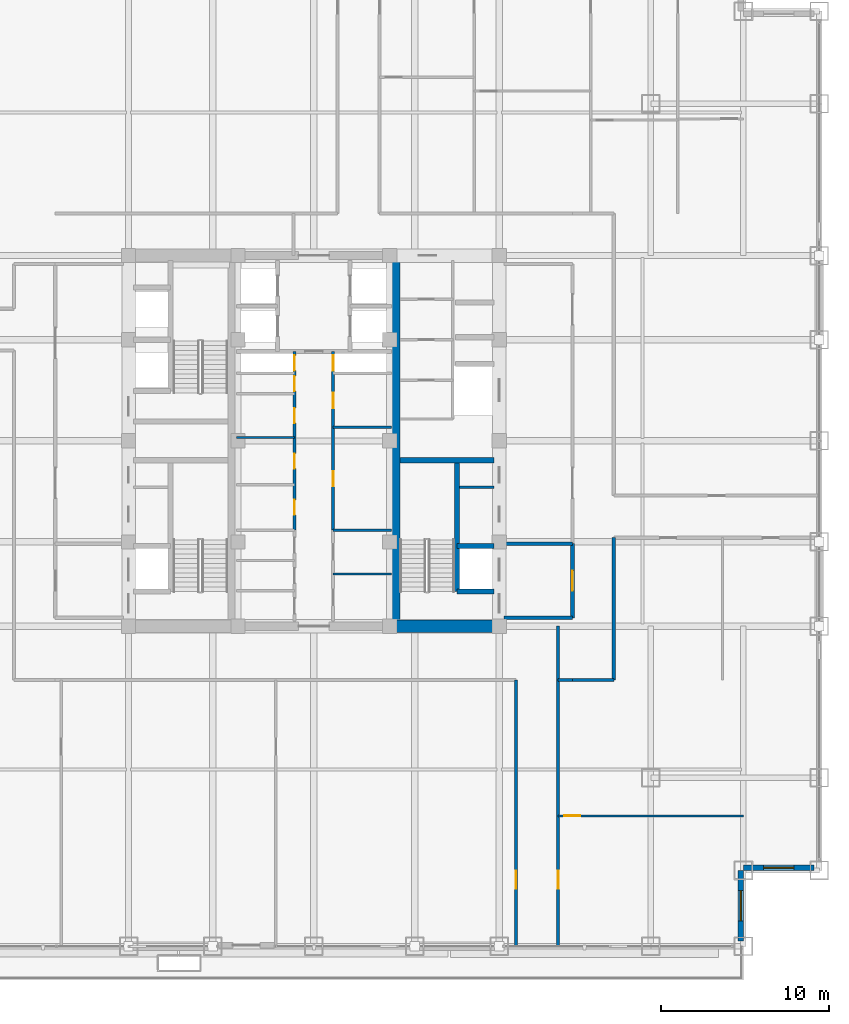
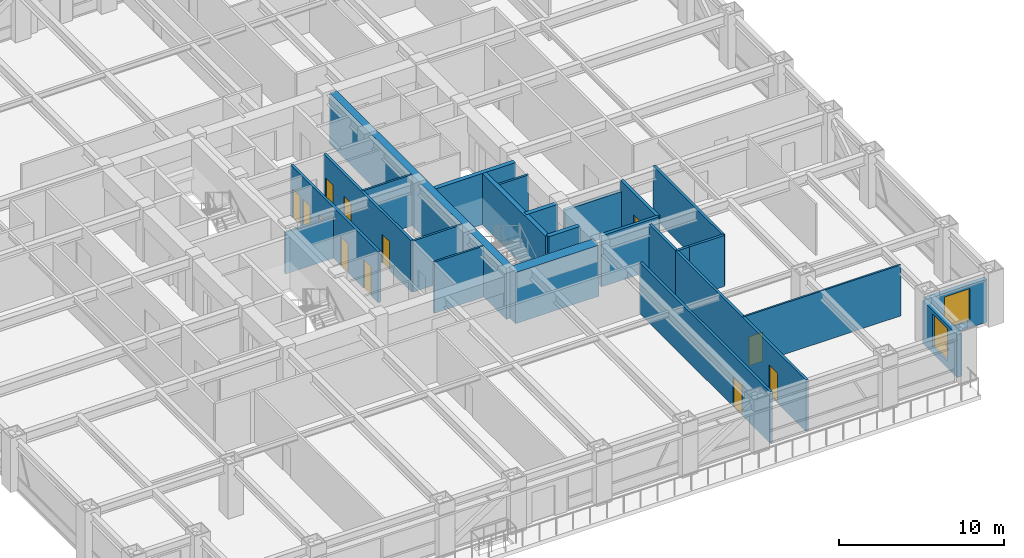
# One storey, part 27 of 35: 25 walls, 12 doors, 2 windows, 14 openings.
"""IFC4 building model written with IfcOpenShell, lengths in metres."""

from ifc_helpers import new_model, si_unit, direction, frame, frame_2d, origin, place, context, subcontext, project, spatial, rectangle, extrude, source, transform, mapped, material, layer, layer_set, type_object, element, fill, save


model = new_model("IFC4")

# Units and contexts
model_context = context("Model", 3, precision=1e-05, world=origin(), true_north=direction((0.0, 1.0)))
body_context = subcontext(model_context, "Body", "Model", "MODEL_VIEW")
ifc_project = project(units=[si_unit("LENGTHUNIT", "METRE"), si_unit("AREAUNIT", "SQUARE_METRE"), si_unit("VOLUMEUNIT", "CUBIC_METRE"), si_unit("PLANEANGLEUNIT", "RADIAN"), si_unit("MASSUNIT", "GRAM", prefix="KILO")], contexts=[model_context])

# Site, building, storey
site_placement = place(None, origin())
site = spatial("IfcSite", under=ifc_project, at=site_placement, CompositionType="ELEMENT")
building_placement = place(site_placement, origin())
building = spatial("IfcBuilding", under=site, at=building_placement, Name="Khorayat Bourse Tower", CompositionType="ELEMENT")
storey_placement = place(building_placement, frame((0.0, 0.0, 155.10009765625)))
storey = spatial("IfcBuildingStorey", under=building, at=storey_placement, Name="L35", CompositionType="ELEMENT", Elevation=155.10009765625)

# Walls
ifc_material_1 = material(Name="Concrete C52/65", Category="concrete")
ifc_layer_1 = layer(ifc_material_1, 0.5)
ifc_layer_set_1 = layer_set([ifc_layer_1], Name="Concrete C52/65")
wall_type_1 = type_object("IfcWallType", Name="WAL-CORE-500", PredefinedType="SHEAR", material=ifc_layer_set_1)
shared_shape_1 = source(origin(), body_context, "Body", "SweptSolid", [
    extrude(rectangle(XDim=21.39990234375, YDim=0.5, at=frame_2d((10.699951171875, 0.0))), origin(), (0.0, 0.0, 1.0), 3.77978515625),
])
wall_1_placement = place(storey_placement, frame((4.85009765625, -10.699951171875, 0.0), z_axis=(0.0, 0.0, 1.0), x_axis=(0.0, 1.0, 0.0)))
element("IfcWall", 1, at=wall_1_placement, inside=storey, type_object=wall_type_1, Name="L35 Core Shear Wall PIER-E", PredefinedType="SHEAR", context=body_context, shape_type="MappedRepresentation", body=[
    mapped(shared_shape_1, transform((0.0, 0.0, 0.0), scale=1.0)),
])
ifc_material_2 = material(Name="Concrete C72/90", Category="concrete")
ifc_layer_2 = layer(ifc_material_2, 0.75)
ifc_layer_set_2 = layer_set([ifc_layer_2], Name="Concrete C72/90")
wall_type_2 = type_object("IfcWallType", Name="WAL-CORE-750", PredefinedType="SHEAR", material=ifc_layer_set_2)
shared_shape_2 = source(origin(), body_context, "Body", "SweptSolid", [
    extrude(rectangle(XDim=5.849853515625, YDim=0.75, at=frame_2d((2.9248046875, 0.0))), origin(), (0.0, 0.0, 1.0), 3.77978515625),
])
wall_2_placement = place(storey_placement, frame((4.85009765625, -11.0, 0.0), z_axis=(0.0, 0.0, 1.0), x_axis=(1.0, 0.0, 0.0)))
element("IfcWall", 2, at=wall_2_placement, inside=storey, type_object=wall_type_2, Name="L35 Core Shear Wall PIER-ES", PredefinedType="SHEAR", context=body_context, shape_type="MappedRepresentation", body=[
    mapped(shared_shape_2, transform((0.0, 0.0, 0.0), scale=1.0)),
])
ifc_material_3 = material(Name="Concrete C50/60", Category="concrete")
ifc_layer_3 = layer(ifc_material_3, 0.300048828125)
ifc_layer_set_3 = layer_set([ifc_layer_3], Name="Concrete C50/60")
wall_type_3 = type_object("IfcWallType", Name="WAL-SHAFT-300", PredefinedType="SHEAR", material=ifc_layer_set_3)
shared_shape_3 = source(origin(), body_context, "Body", "SweptSolid", [
    extrude(rectangle(XDim=5.599853515625, YDim=0.300048828125, at=frame_2d((2.7998046875, 0.0))), origin(), (0.0, 0.0, 1.0), 3.77978515625),
])
wall_3_placement = place(storey_placement, frame((5.10009765625, -1.14990234375, 0.0), z_axis=(0.0, 0.0, 1.0), x_axis=(1.0, 0.0, 0.0)))
element("IfcWall", 3, at=wall_3_placement, inside=storey, type_object=wall_type_3, Name="L35 Core Shear Wall ST3-DIV", PredefinedType="SHEAR", context=body_context, shape_type="MappedRepresentation", body=[
    mapped(shared_shape_3, transform((0.0, 0.0, 0.0), scale=1.0)),
])

# Wall, opening, window
ifc_material_4 = material(Name="Precast concrete C45/55", Category="concrete")
ifc_layer_4 = layer(ifc_material_4, 0.320068359375)
ifc_layer_set_4 = layer_set([ifc_layer_4], Name="Precast concrete C45/55")
wall_type_4 = type_object("IfcWallType", Name="WAL-EXT-STONE-320", PredefinedType="STANDARD", material=ifc_layer_set_4)
shared_shape_4 = source(origin(), body_context, "Body", "SweptSolid", [
    extrude(rectangle(XDim=4.179931640625, YDim=0.320068359375, at=frame_2d((2.08984375, 0.0))), origin(), (0.0, 0.0, 1.0), 3.163818359375),
])
wall_4_placement = place(storey_placement, frame((25.340087890625, -29.679931640625, 0.0), z_axis=(0.0, 0.0, 1.0), x_axis=(0.0, 1.0, 0.0)))
wall_4 = element("IfcWall", 4, at=wall_4_placement, inside=storey, type_object=wall_type_4, Name="L35 Re-Entrant Notch Limestone Wall SE-V", PredefinedType="STANDARD", context=body_context, shape_type="MappedRepresentation", body=[
    mapped(shared_shape_4, transform((0.0, 0.0, 0.0), scale=1.0)),
])
shared_shape_5 = source(origin(), body_context, "Body", "SweptSolid", [
    extrude(rectangle(XDim=1.800048828125, YDim=2.39990234375, at=frame_2d((0.89990234375, 1.199951171875))), frame((0.0, 0.169921875, 0.0), z_axis=(0.0, -1.0, 0.0), x_axis=(1.0, 0.0, 0.0)), (0.0, 0.0, 1.0), 0.340087890625),
])
opening_1_placement = place(wall_4_placement, frame((1.18994140625, 0.0, 0.5)))
opening_1 = element("IfcOpeningElement", 5, at=opening_1_placement, cuts=wall_4, Name="Opening WN-04", PredefinedType="OPENING", context=body_context, shape_type="MappedRepresentation", body=[
    mapped(shared_shape_5, transform((0.0, 0.0, 0.0), scale=1.0)),
])
ifc_material_5 = material(Name="Low-E acoustic laminated double glazing", Category="glass")
window_type = type_object("IfcWindowType", Name="WIN-NOTCH-1800x2400", PartitioningType="SINGLE_PANEL", PredefinedType="WINDOW", material=ifc_material_5)
shared_shape_6 = source(origin(), body_context, "Body", "SweptSolid", [
    extrude(rectangle(XDim=1.800048828125, YDim=2.39990234375, at=frame_2d((0.89990234375, 1.199951171875))), frame((0.0, 0.030029296875, 0.0), z_axis=(0.0, -1.0, 0.0), x_axis=(1.0, 0.0, 0.0)), (0.0, 0.0, 1.0), 0.06005859375),
])
window_1_placement = place(opening_1_placement, origin())
window_1 = element("IfcWindow", 6, at=window_1_placement, inside=storey, type_object=window_type, Name="L35 Facade Window 1", OverallHeight=2.39990234375, OverallWidth=1.800048828125, PartitioningType="SINGLE_PANEL", PredefinedType="WINDOW", context=body_context, shape_type="MappedRepresentation", body=[
    mapped(shared_shape_6, transform((0.0, 0.0, 0.0), scale=1.0)),
])
fill(opening_1, window_1)

wall_5_placement = place(storey_placement, frame((25.5, -25.340087890625, 0.0), z_axis=(0.0, 0.0, 1.0), x_axis=(1.0, 0.0, 0.0)))
wall_5 = element("IfcWall", 7, at=wall_5_placement, inside=storey, type_object=wall_type_4, Name="L35 Re-Entrant Notch Limestone Wall SE-H", PredefinedType="STANDARD", context=body_context, shape_type="MappedRepresentation", body=[
    mapped(shared_shape_4, transform((0.0, 0.0, 0.0), scale=1.0)),
])
opening_2_placement = place(wall_5_placement, frame((1.18994140625, 0.0, 0.5)))
opening_2 = element("IfcOpeningElement", 8, at=opening_2_placement, cuts=wall_5, Name="Opening WN-04", PredefinedType="OPENING", context=body_context, shape_type="MappedRepresentation", body=[
    mapped(shared_shape_5, transform((0.0, 0.0, 0.0), scale=1.0)),
])
window_2_placement = place(opening_2_placement, origin())
window_2 = element("IfcWindow", 9, at=window_2_placement, inside=storey, type_object=window_type, Name="L35 Facade Window 1", OverallHeight=2.39990234375, OverallWidth=1.800048828125, PartitioningType="SINGLE_PANEL", PredefinedType="WINDOW", context=body_context, shape_type="MappedRepresentation", body=[
    mapped(shared_shape_6, transform((0.0, 0.0, 0.0), scale=1.0)),
])
fill(opening_2, window_2)

# Walls
shared_shape_7 = source(origin(), body_context, "Body", "SweptSolid", [
    extrude(rectangle(XDim=7.800048828125, YDim=0.300048828125, at=frame_2d((3.89990234375, 0.0))), origin(), (0.0, 0.0, 1.0), 3.77978515625),
])
wall_6_placement = place(storey_placement, frame((8.5, -8.949951171875, 0.0), z_axis=(0.0, 0.0, 1.0), x_axis=(0.0, 1.0, 0.0)))
element("IfcWall", 10, at=wall_6_placement, inside=storey, type_object=wall_type_3, Name="L35 Partition WAL-L35-EPIER-SP", PredefinedType="SHEAR", context=body_context, shape_type="MappedRepresentation", body=[
    mapped(shared_shape_7, transform((0.0, 0.0, 0.0), scale=1.0)),
])
shared_shape_8 = source(origin(), body_context, "Body", "SweptSolid", [
    extrude(rectangle(XDim=2.199951171875, YDim=0.300048828125, at=frame_2d((1.10009765625, 0.0))), origin(), (0.0, 0.0, 1.0), 3.77978515625),
])
for number, where, z_axis, x_axis, name in (
    (11, (8.5, -8.949951171875, 0.0), (0.0, 0.0, 1.0), (1.0, 0.0, 0.0), "L35 Partition WAL-L35-EPIER-FF2S"),
    (12, (8.5, -6.25, 0.0), (0.0, 0.0, 1.0), (1.0, 0.0, 0.0), "L35 Partition WAL-L35-EPIER-FF2N"),
):
    element("IfcWall", number, at=place(storey_placement, frame(where, z_axis=z_axis, x_axis=x_axis)), inside=storey, type_object=wall_type_3, Name=name, PredefinedType="SHEAR", context=body_context, shape_type="MappedRepresentation", body=[
        mapped(shared_shape_8, transform((0.0, 0.0, 0.0), scale=1.0)),
    ])
ifc_material_6 = material(Name="Gypsum plasterboard twin-frame partition")
ifc_layer_5 = layer(ifc_material_6, 0.14990234375)
ifc_layer_set_5 = layer_set([ifc_layer_5], Name="Gypsum plasterboard twin-frame partition")
wall_type_5 = type_object("IfcWallType", Name="WAL-PART-SUITE-150", PredefinedType="PARTITIONING", material=ifc_layer_set_5)
shared_shape_9 = source(origin(), body_context, "Body", "SweptSolid", [
    extrude(rectangle(XDim=2.050048828125, YDim=0.14990234375, at=frame_2d((1.02490234375, 0.0))), origin(), (0.0, 0.0, 1.0), 3.77978515625),
])
wall_7_placement = place(storey_placement, frame((8.64990234375, -2.75, 0.0), z_axis=(0.0, 0.0, 1.0), x_axis=(1.0, 0.0, 0.0)))
element("IfcWall", 13, at=wall_7_placement, inside=storey, type_object=wall_type_5, Name="L35 Partition WAL-L35-ESRV-D1", PredefinedType="PARTITIONING", context=body_context, shape_type="MappedRepresentation", body=[
    mapped(shared_shape_9, transform((0.0, 0.0, 0.0), scale=1.0)),
])
ifc_material_7 = material(Name="Aerated concrete blockwork", Category="masonry")
ifc_layer_6 = layer(ifc_material_7, 0.219970703125)
ifc_layer_set_6 = layer_set([ifc_layer_6], Name="Aerated concrete blockwork")
wall_type_6 = type_object("IfcWallType", Name="WAL-PART-FF-220", PredefinedType="PARTITIONING", material=ifc_layer_set_6)
shared_shape_10 = source(origin(), body_context, "Body", "SweptSolid", [
    extrude(rectangle(XDim=4.050048828125, YDim=0.219970703125, at=frame_2d((2.02490234375, 0.0))), origin(), (0.0, 0.0, 1.0), 3.77978515625),
])
wall_8_placement = place(storey_placement, frame((11.300048828125, -10.5, 0.0), z_axis=(0.0, 0.0, 1.0), x_axis=(1.0, 0.0, 0.0)))
element("IfcWall", 14, at=wall_8_placement, inside=storey, type_object=wall_type_6, Name="L35 Partition WAL-L35-FFLE-S", PredefinedType="PARTITIONING", context=body_context, shape_type="MappedRepresentation", body=[
    mapped(shared_shape_10, transform((0.0, 0.0, 0.0), scale=1.0)),
])
shared_shape_11 = source(origin(), body_context, "Body", "SweptSolid", [
    extrude(rectangle(XDim=4.050048828125, YDim=0.219970703125, at=frame_2d((2.02490234375, 0.0))), origin(), (0.0, 0.0, 1.0), 3.0068359375),
])
wall_9_placement = place(storey_placement, frame((11.300048828125, -6.10009765625, 0.0), z_axis=(0.0, 0.0, 1.0), x_axis=(1.0, 0.0, 0.0)))
element("IfcWall", 15, at=wall_9_placement, inside=storey, type_object=wall_type_6, Name="L35 Partition WAL-L35-FFLE-N", PredefinedType="PARTITIONING", context=body_context, shape_type="MappedRepresentation", body=[
    mapped(shared_shape_11, transform((0.0, 0.0, 0.0), scale=1.0)),
])

# Wall, opening, door
shared_shape_12 = source(origin(), body_context, "Body", "SweptSolid", [
    extrude(rectangle(XDim=4.39990234375, YDim=0.219970703125, at=frame_2d((2.199951171875, 0.0))), origin(), (0.0, 0.0, 1.0), 3.77978515625),
])
wall_10_placement = place(storey_placement, frame((15.35009765625, -10.5, 0.0), z_axis=(0.0, 0.0, 1.0), x_axis=(0.0, 1.0, 0.0)))
wall_10 = element("IfcWall", 16, at=wall_10_placement, inside=storey, type_object=wall_type_6, Name="L35 Partition WAL-L35-FFLE-E", PredefinedType="PARTITIONING", context=body_context, shape_type="MappedRepresentation", body=[
    mapped(shared_shape_12, transform((0.0, 0.0, 0.0), scale=1.0)),
])
shared_shape_13 = source(origin(), body_context, "Body", "SweptSolid", [
    extrude(rectangle(XDim=1.199951171875, YDim=2.199951171875, at=frame_2d((0.60009765625, 1.10009765625))), frame((0.0, 0.119873046875, 0.0), z_axis=(0.0, -1.0, 0.0), x_axis=(1.0, 0.0, 0.0)), (0.0, 0.0, 1.0), 0.239990234375),
])
opening_3_placement = place(wall_10_placement, frame((1.60009765625, 0.0, 0.0)))
opening_3 = element("IfcOpeningElement", 17, at=opening_3_placement, cuts=wall_10, Name="Opening DI-02", PredefinedType="OPENING", context=body_context, shape_type="MappedRepresentation", body=[
    mapped(shared_shape_13, transform((0.0, 0.0, 0.0), scale=1.0)),
])
ifc_material_8 = material(Name="Fire-rated steel double-seal leaf", Category="steel")
door_type_1 = type_object("IfcDoorType", Name="DR-INT-FFLOBBY-1200", OperationType="NOTDEFINED", PredefinedType="DOOR", material=ifc_material_8)
shared_shape_14 = source(origin(), body_context, "Body", "SweptSolid", [
    extrude(rectangle(XDim=1.199951171875, YDim=2.199951171875, at=frame_2d((0.60009765625, 1.10009765625))), frame((0.0, 0.02490234375, 0.0), z_axis=(0.0, -1.0, 0.0), x_axis=(1.0, 0.0, 0.0)), (0.0, 0.0, 1.0), 0.050048828125),
])
door_1_placement = place(opening_3_placement, origin())
door_1 = element("IfcDoor", 18, at=door_1_placement, inside=storey, type_object=door_type_1, Name="L35 East Firefighting Lobby Door", OperationType="SINGLE_SWING_RIGHT", OverallHeight=2.199951171875, OverallWidth=1.199951171875, PredefinedType="DOOR", context=body_context, shape_type="MappedRepresentation", body=[
    mapped(shared_shape_14, transform((0.0, 0.0, 0.0), scale=1.0)),
])
fill(opening_3, door_1)

# Walls
shared_shape_15 = source(origin(), body_context, "Body", "SweptSolid", [
    extrude(rectangle(XDim=3.4501953125, YDim=0.14990234375, at=frame_2d((1.72509765625, 0.0))), origin(), (0.0, 0.0, 1.0), 3.77978515625),
])
wall_11_placement = place(storey_placement, frame((1.14990234375, -5.300048828125, 0.0), z_axis=(0.0, 0.0, 1.0), x_axis=(1.0, 0.0, 0.0)))
element("IfcWall", 19, at=wall_11_placement, inside=storey, type_object=wall_type_5, Name="L35 Partition WAL-L35-FB1-NE", PredefinedType="PARTITIONING", context=body_context, shape_type="MappedRepresentation", body=[
    mapped(shared_shape_15, transform((0.0, 0.0, 0.0), scale=1.0)),
])
ifc_material_9 = material(Name="Moisture-resistant masonry partition", Category="masonry")
ifc_layer_7 = layer(ifc_material_9, 0.139892578125)
ifc_layer_set_7 = layer_set([ifc_layer_7], Name="Moisture-resistant masonry partition")
wall_type_7 = type_object("IfcWallType", Name="WAL-PART-WET-140", PredefinedType="PARTITIONING", material=ifc_layer_set_7)
shared_shape_16 = source(origin(), body_context, "Body", "SweptSolid", [
    extrude(rectangle(XDim=3.4501953125, YDim=0.139892578125, at=frame_2d((1.72509765625, 0.0))), origin(), (0.0, 0.0, 1.0), 3.77978515625),
])
for number, where, z_axis, x_axis, name in (
    (20, (1.14990234375, -7.89990234375, 0.0), (0.0, 0.0, 1.0), (1.0, 0.0, 0.0), "L35 Partition WAL-L35-FB1E-D1"),
    (21, (1.14990234375, 0.800048828125, 0.0), (0.0, 0.0, 1.0), (1.0, 0.0, 0.0), "L35 Partition WAL-L35-CME-D1"),
):
    element("IfcWall", number, at=place(storey_placement, frame(where, z_axis=z_axis, x_axis=x_axis)), inside=storey, type_object=wall_type_7, Name=name, PredefinedType="PARTITIONING", context=body_context, shape_type="MappedRepresentation", body=[
        mapped(shared_shape_16, transform((0.0, 0.0, 0.0), scale=1.0)),
    ])
shared_shape_17 = source(origin(), body_context, "Body", "SweptSolid", [
    extrude(rectangle(XDim=3.4501953125, YDim=0.139892578125, at=frame_2d((1.72509765625, 0.0))), origin(), (0.0, 0.0, 1.0), 3.0849609375),
])
wall_12_placement = place(storey_placement, frame((-4.60009765625, 0.199951171875, 0.0), z_axis=(0.0, 0.0, 1.0), x_axis=(1.0, 0.0, 0.0)))
element("IfcWall", 22, at=wall_12_placement, inside=storey, type_object=wall_type_7, Name="L35 Partition WAL-L35-CMW-D2", PredefinedType="PARTITIONING", context=body_context, shape_type="MappedRepresentation", body=[
    mapped(shared_shape_17, transform((0.0, 0.0, 0.0), scale=1.0)),
])

# Wall, openings, doors
ifc_material_10 = material(Name="Gypsum plasterboard acoustic stud wall")
ifc_layer_8 = layer(ifc_material_10, 0.179931640625)
ifc_layer_set_8 = layer_set([ifc_layer_8], Name="Gypsum plasterboard acoustic stud wall")
wall_type_8 = type_object("IfcWallType", Name="WAL-PART-CORR-180", PredefinedType="PARTITIONING", material=ifc_layer_set_8)
shared_shape_18 = source(origin(), body_context, "Body", "SweptSolid", [
    extrude(rectangle(XDim=10.60009765625, YDim=0.179931640625, at=frame_2d((5.300048828125, 0.0))), origin(), (0.0, 0.0, 1.0), 3.77978515625),
])
wall_13_placement = place(storey_placement, frame((-1.14990234375, -5.300048828125, 0.0), z_axis=(0.0, 0.0, 1.0), x_axis=(0.0, 1.0, 0.0)))
wall_13 = element("IfcWall", 23, at=wall_13_placement, inside=storey, type_object=wall_type_8, Name="L35 Partition WAL-L35-CMW-L", PredefinedType="PARTITIONING", context=body_context, shape_type="MappedRepresentation", body=[
    mapped(shared_shape_18, transform((0.0, 0.0, 0.0), scale=1.0)),
])
shared_shape_19 = source(origin(), body_context, "Body", "SweptSolid", [
    extrude(rectangle(XDim=0.89990234375, YDim=2.14990234375, at=frame_2d((0.449951171875, 1.074951171875))), frame((0.0, 0.099853515625, 0.0), z_axis=(0.0, -1.0, 0.0), x_axis=(1.0, 0.0, 0.0)), (0.0, 0.0, 1.0), 0.199951171875),
])
opening_4_placement = place(wall_13_placement, frame((0.89990234375, 0.0, 0.0)))
opening_4 = element("IfcOpeningElement", 24, at=opening_4_placement, cuts=wall_13, Name="Opening DI-06", PredefinedType="OPENING", context=body_context, shape_type="MappedRepresentation", body=[
    mapped(shared_shape_19, transform((0.0, 0.0, 0.0), scale=1.0)),
])
opening_5_placement = place(wall_13_placement, frame((3.64990234375, 0.0, 0.0)))
opening_5 = element("IfcOpeningElement", 25, at=opening_5_placement, cuts=wall_13, Name="Opening DI-06", PredefinedType="OPENING", context=body_context, shape_type="MappedRepresentation", body=[
    mapped(shared_shape_19, transform((0.0, 0.0, 0.0), scale=1.0)),
])
opening_6_placement = place(wall_13_placement, frame((6.35009765625, 0.0, 0.0)))
opening_6 = element("IfcOpeningElement", 26, at=opening_6_placement, cuts=wall_13, Name="Opening DI-06", PredefinedType="OPENING", context=body_context, shape_type="MappedRepresentation", body=[
    mapped(shared_shape_19, transform((0.0, 0.0, 0.0), scale=1.0)),
])
opening_7_placement = place(wall_13_placement, frame((8.25, 0.0, 0.0)))
opening_7 = element("IfcOpeningElement", 27, at=opening_7_placement, cuts=wall_13, Name="Opening DI-06", PredefinedType="OPENING", context=body_context, shape_type="MappedRepresentation", body=[
    mapped(shared_shape_19, transform((0.0, 0.0, 0.0), scale=1.0)),
])
opening_8_placement = place(wall_13_placement, frame((9.47509765625, 0.0, 0.0)))
opening_8 = element("IfcOpeningElement", 28, at=opening_8_placement, cuts=wall_13, Name="Opening DI-06", PredefinedType="OPENING", context=body_context, shape_type="MappedRepresentation", body=[
    mapped(shared_shape_19, transform((0.0, 0.0, 0.0), scale=1.0)),
])
ifc_material_11 = material(Name="Moisture-resistant laminate washroom door")
door_type_2 = type_object("IfcDoorType", Name="DR-INT-WC-900", OperationType="NOTDEFINED", PredefinedType="DOOR", material=ifc_material_11)
shared_shape_20 = source(origin(), body_context, "Body", "SweptSolid", [
    extrude(rectangle(XDim=0.89990234375, YDim=2.14990234375, at=frame_2d((0.449951171875, 1.074951171875))), frame((0.0, 0.02490234375, 0.0), z_axis=(0.0, -1.0, 0.0), x_axis=(1.0, 0.0, 0.0)), (0.0, 0.0, 1.0), 0.050048828125),
])
door_2_placement = place(opening_4_placement, origin())
door_2 = element("IfcDoor", 29, at=door_2_placement, inside=storey, type_object=door_type_2, Name="L35 Cleaners Store Door", OperationType="SINGLE_SWING_RIGHT", OverallHeight=2.14990234375, OverallWidth=0.89990234375, PredefinedType="DOOR", context=body_context, shape_type="MappedRepresentation", body=[
    mapped(shared_shape_20, transform((0.0, 0.0, 0.0), scale=1.0)),
])
fill(opening_4, door_2)
door_3_placement = place(opening_5_placement, origin())
door_3 = element("IfcDoor", 30, at=door_3_placement, inside=storey, type_object=door_type_2, Name="L35 Male Core Washroom Door", OperationType="SINGLE_SWING_LEFT", OverallHeight=2.14990234375, OverallWidth=0.89990234375, PredefinedType="DOOR", context=body_context, shape_type="MappedRepresentation", body=[
    mapped(shared_shape_20, transform((0.0, 0.0, 0.0), scale=1.0)),
])
fill(opening_5, door_3)
door_4_placement = place(opening_6_placement, origin())
door_4 = element("IfcDoor", 31, at=door_4_placement, inside=storey, type_object=door_type_2, Name="L35 Electrical Closet Door", OperationType="SINGLE_SWING_RIGHT", OverallHeight=2.14990234375, OverallWidth=0.89990234375, PredefinedType="DOOR", context=body_context, shape_type="MappedRepresentation", body=[
    mapped(shared_shape_20, transform((0.0, 0.0, 0.0), scale=1.0)),
])
fill(opening_6, door_4)
door_5_placement = place(opening_7_placement, origin())
door_5 = element("IfcDoor", 32, at=door_5_placement, inside=storey, type_object=door_type_2, Name="L35 Archive Cupboard Door", OperationType="SINGLE_SWING_LEFT", OverallHeight=2.14990234375, OverallWidth=0.89990234375, PredefinedType="DOOR", context=body_context, shape_type="MappedRepresentation", body=[
    mapped(shared_shape_20, transform((0.0, 0.0, 0.0), scale=1.0)),
])
fill(opening_7, door_5)
door_6_placement = place(opening_8_placement, origin())
door_6 = element("IfcDoor", 33, at=door_6_placement, inside=storey, type_object=door_type_2, Name="L35 West Core Riser Door", OperationType="SINGLE_SWING_LEFT", OverallHeight=2.14990234375, OverallWidth=0.89990234375, PredefinedType="DOOR", context=body_context, shape_type="MappedRepresentation", body=[
    mapped(shared_shape_20, transform((0.0, 0.0, 0.0), scale=1.0)),
])
fill(opening_8, door_6)

wall_14_placement = place(storey_placement, frame((1.14990234375, -5.300048828125, 0.0), z_axis=(0.0, 0.0, 1.0), x_axis=(0.0, 1.0, 0.0)))
wall_14 = element("IfcWall", 34, at=wall_14_placement, inside=storey, type_object=wall_type_8, Name="L35 Partition WAL-L35-CME-L", PredefinedType="PARTITIONING", context=body_context, shape_type="MappedRepresentation", body=[
    mapped(shared_shape_18, transform((0.0, 0.0, 0.0), scale=1.0)),
])
opening_9_placement = place(wall_14_placement, frame((2.60009765625, 0.0, 0.0)))
opening_9 = element("IfcOpeningElement", 35, at=opening_9_placement, cuts=wall_14, Name="Opening DI-06", PredefinedType="OPENING", context=body_context, shape_type="MappedRepresentation", body=[
    mapped(shared_shape_19, transform((0.0, 0.0, 0.0), scale=1.0)),
])
opening_10_placement = place(wall_14_placement, frame((7.25, 0.0, 0.0)))
opening_10 = element("IfcOpeningElement", 36, at=opening_10_placement, cuts=wall_14, Name="Opening DI-06", PredefinedType="OPENING", context=body_context, shape_type="MappedRepresentation", body=[
    mapped(shared_shape_19, transform((0.0, 0.0, 0.0), scale=1.0)),
])
opening_11_placement = place(wall_14_placement, frame((9.47509765625, 0.0, 0.0)))
opening_11 = element("IfcOpeningElement", 37, at=opening_11_placement, cuts=wall_14, Name="Opening DI-06", PredefinedType="OPENING", context=body_context, shape_type="MappedRepresentation", body=[
    mapped(shared_shape_19, transform((0.0, 0.0, 0.0), scale=1.0)),
])
door_7_placement = place(opening_9_placement, origin())
door_7 = element("IfcDoor", 38, at=door_7_placement, inside=storey, type_object=door_type_2, Name="L35 Female Core Washroom Door", OperationType="SINGLE_SWING_RIGHT", OverallHeight=2.14990234375, OverallWidth=0.89990234375, PredefinedType="DOOR", context=body_context, shape_type="MappedRepresentation", body=[
    mapped(shared_shape_20, transform((0.0, 0.0, 0.0), scale=1.0)),
])
fill(opening_9, door_7)
door_8_placement = place(opening_10_placement, origin())
door_8 = element("IfcDoor", 39, at=door_8_placement, inside=storey, type_object=door_type_2, Name="L35 Smoke Extract Fan Plant Room Door", OperationType="SINGLE_SWING_LEFT", OverallHeight=2.14990234375, OverallWidth=0.89990234375, PredefinedType="DOOR", context=body_context, shape_type="MappedRepresentation", body=[
    mapped(shared_shape_20, transform((0.0, 0.0, 0.0), scale=1.0)),
])
fill(opening_10, door_8)
door_9_placement = place(opening_11_placement, origin())
door_9 = element("IfcDoor", 40, at=door_9_placement, inside=storey, type_object=door_type_2, Name="L35 East Core Riser Door", OperationType="SINGLE_SWING_RIGHT", OverallHeight=2.14990234375, OverallWidth=0.89990234375, PredefinedType="DOOR", context=body_context, shape_type="MappedRepresentation", body=[
    mapped(shared_shape_20, transform((0.0, 0.0, 0.0), scale=1.0)),
])
fill(opening_11, door_9)

# Walls
shared_shape_21 = source(origin(), body_context, "Body", "SweptSolid", [
    extrude(rectangle(XDim=2.449951171875, YDim=0.179931640625, at=frame_2d((1.22509765625, 0.0))), origin(), (0.0, 0.0, 1.0), 3.77978515625),
])
wall_15_placement = place(storey_placement, frame((15.35009765625, -14.199951171875, 0.0), z_axis=(0.0, 0.0, 1.0), x_axis=(1.0, 0.0, 0.0)))
element("IfcWall", 41, at=wall_15_placement, inside=storey, type_object=wall_type_8, Name="L35 Partition WAL-L35-C2-ES", PredefinedType="PARTITIONING", context=body_context, shape_type="MappedRepresentation", body=[
    mapped(shared_shape_21, transform((0.0, 0.0, 0.0), scale=1.0)),
])
shared_shape_22 = source(origin(), body_context, "Body", "SweptSolid", [
    extrude(rectangle(XDim=3.199951171875, YDim=0.179931640625, at=frame_2d((1.60009765625, 0.0))), origin(), (0.0, 0.0, 1.0), 3.77978515625),
])
wall_16_placement = place(storey_placement, frame((14.5, -14.199951171875, 0.0), z_axis=(0.0, 0.0, 1.0), x_axis=(0.0, 1.0, 0.0)))
element("IfcWall", 42, at=wall_16_placement, inside=storey, type_object=wall_type_8, Name="L35 Partition WAL-L35-C2-SCE", PredefinedType="PARTITIONING", context=body_context, shape_type="MappedRepresentation", body=[
    mapped(shared_shape_22, transform((0.0, 0.0, 0.0), scale=1.0)),
])

# Wall, opening, door
shared_shape_23 = source(origin(), body_context, "Body", "SweptSolid", [
    extrude(rectangle(XDim=15.800048828125, YDim=0.179931640625, at=frame_2d((7.89990234375, 0.0))), origin(), (0.0, 0.0, 1.0), 3.77978515625),
])
wall_17_placement = place(storey_placement, frame((12.0, -30.0, 0.0), z_axis=(0.0, 0.0, 1.0), x_axis=(0.0, 1.0, 0.0)))
wall_17 = element("IfcWall", 43, at=wall_17_placement, inside=storey, type_object=wall_type_8, Name="L35 Partition WAL-L35-QSW-SPK", PredefinedType="PARTITIONING", context=body_context, shape_type="MappedRepresentation", body=[
    mapped(shared_shape_23, transform((0.0, 0.0, 0.0), scale=1.0)),
])
shared_shape_24 = source(origin(), body_context, "Body", "SweptSolid", [
    extrude(rectangle(XDim=1.050048828125, YDim=2.199951171875, at=frame_2d((0.52490234375, 1.10009765625))), frame((0.0, 0.099853515625, 0.0), z_axis=(0.0, -1.0, 0.0), x_axis=(1.0, 0.0, 0.0)), (0.0, 0.0, 1.0), 0.199951171875),
])
opening_12_placement = place(wall_17_placement, frame((3.425048828125, 0.0, 0.0)))
opening_12 = element("IfcOpeningElement", 44, at=opening_12_placement, cuts=wall_17, Name="Opening DI-04", PredefinedType="OPENING", context=body_context, shape_type="MappedRepresentation", body=[
    mapped(shared_shape_24, transform((0.0, 0.0, 0.0), scale=1.0)),
])
ifc_material_12 = material(Name="Fire-rated oak veneer suite entrance door")
door_type_3 = type_object("IfcDoorType", Name="DR-INT-SUITE-1050", OperationType="NOTDEFINED", PredefinedType="DOOR", material=ifc_material_12)
shared_shape_25 = source(origin(), body_context, "Body", "SweptSolid", [
    extrude(rectangle(XDim=1.050048828125, YDim=2.199951171875, at=frame_2d((0.52490234375, 1.10009765625))), frame((0.0, 0.02490234375, 0.0), z_axis=(0.0, -1.0, 0.0), x_axis=(1.0, 0.0, 0.0)), (0.0, 0.0, 1.0), 0.050048828125),
])
door_10_placement = place(opening_12_placement, origin())
door_10 = element("IfcDoor", 45, at=door_10_placement, inside=storey, type_object=door_type_3, Name="L35 South-West Radial Spoke Entry", OperationType="SINGLE_SWING_LEFT", OverallHeight=2.199951171875, OverallWidth=1.050048828125, PredefinedType="DOOR", context=body_context, shape_type="MappedRepresentation", body=[
    mapped(shared_shape_25, transform((0.0, 0.0, 0.0), scale=1.0)),
])
fill(opening_12, door_10)

wall_18_placement = place(storey_placement, frame((14.5, -30.0, 0.0), z_axis=(0.0, 0.0, 1.0), x_axis=(0.0, 1.0, 0.0)))
wall_18 = element("IfcWall", 46, at=wall_18_placement, inside=storey, type_object=wall_type_8, Name="L35 Partition WAL-L35-QSE-SPK", PredefinedType="PARTITIONING", context=body_context, shape_type="MappedRepresentation", body=[
    mapped(shared_shape_23, transform((0.0, 0.0, 0.0), scale=1.0)),
])
opening_13_placement = place(wall_18_placement, frame((3.425048828125, 0.0, 0.0)))
opening_13 = element("IfcOpeningElement", 47, at=opening_13_placement, cuts=wall_18, Name="Opening DI-04", PredefinedType="OPENING", context=body_context, shape_type="MappedRepresentation", body=[
    mapped(shared_shape_24, transform((0.0, 0.0, 0.0), scale=1.0)),
])
door_11_placement = place(opening_13_placement, origin())
door_11 = element("IfcDoor", 48, at=door_11_placement, inside=storey, type_object=door_type_3, Name="L35 South-East Radial Spoke Entry", OperationType="SINGLE_SWING_LEFT", OverallHeight=2.199951171875, OverallWidth=1.050048828125, PredefinedType="DOOR", context=body_context, shape_type="MappedRepresentation", body=[
    mapped(shared_shape_25, transform((0.0, 0.0, 0.0), scale=1.0)),
])
fill(opening_13, door_11)

ifc_material_13 = material(Name="Gypsum plasterboard partition")
ifc_layer_9 = layer(ifc_material_13, 0.125)
ifc_layer_set_9 = layer_set([ifc_layer_9], Name="Gypsum plasterboard partition")
wall_type_9 = type_object("IfcWallType", Name="WAL-PART-ROOM-125", PredefinedType="PARTITIONING", material=ifc_layer_set_9)
shared_shape_26 = source(origin(), body_context, "Body", "SweptSolid", [
    extrude(rectangle(XDim=11.0, YDim=0.125, at=frame_2d((5.5, 0.0))), origin(), (0.0, 0.0, 1.0), 3.77978515625),
])
wall_19_placement = place(storey_placement, frame((14.5, -22.258056640625, 0.0), z_axis=(0.0, 0.0, 1.0), x_axis=(1.0, 0.0, 0.0)))
wall_19 = element("IfcWall", 49, at=wall_19_placement, inside=storey, type_object=wall_type_9, Name="L35 Partition WAL-L35-QSEDP-1", PredefinedType="PARTITIONING", context=body_context, shape_type="MappedRepresentation", body=[
    mapped(shared_shape_26, transform((0.0, 0.0, 0.0), scale=1.0)),
])
shared_shape_27 = source(origin(), body_context, "Body", "SweptSolid", [
    extrude(rectangle(XDim=0.949951171875, YDim=2.14990234375, at=frame_2d((0.47509765625, 1.074951171875))), frame((0.0, 0.072509765625, 0.0), z_axis=(0.0, -1.0, 0.0), x_axis=(1.0, 0.0, 0.0)), (0.0, 0.0, 1.0), 0.14501953125),
])
opening_14_placement = place(wall_19_placement, frame((0.375, 0.0, 0.0)))
opening_14 = element("IfcOpeningElement", 50, at=opening_14_placement, cuts=wall_19, Name="Opening DI-05", PredefinedType="OPENING", context=body_context, shape_type="MappedRepresentation", body=[
    mapped(shared_shape_27, transform((0.0, 0.0, 0.0), scale=1.0)),
])
ifc_material_14 = material(Name="Acoustic oak veneer office door")
door_type_4 = type_object("IfcDoorType", Name="DR-INT-OFFICE-950", OperationType="NOTDEFINED", PredefinedType="DOOR", material=ifc_material_14)
shared_shape_28 = source(origin(), body_context, "Body", "SweptSolid", [
    extrude(rectangle(XDim=0.949951171875, YDim=2.14990234375, at=frame_2d((0.47509765625, 1.074951171875))), frame((0.0, 0.02490234375, 0.0), z_axis=(0.0, -1.0, 0.0), x_axis=(1.0, 0.0, 0.0)), (0.0, 0.0, 1.0), 0.050048828125),
])
door_12_placement = place(opening_14_placement, origin())
door_12 = element("IfcDoor", 51, at=door_12_placement, inside=storey, type_object=door_type_4, Name="L35 South-East Clearing Operations Office 1B Door", OperationType="SINGLE_SWING_RIGHT", OverallHeight=2.14990234375, OverallWidth=0.949951171875, PredefinedType="DOOR", context=body_context, shape_type="MappedRepresentation", body=[
    mapped(shared_shape_28, transform((0.0, 0.0, 0.0), scale=1.0)),
])
fill(opening_14, door_12)

# Walls
shared_shape_29 = source(origin(), body_context, "Body", "SweptSolid", [
    extrude(rectangle(XDim=0.85009765625, YDim=0.179931640625, at=frame_2d((0.425048828125, 0.0))), origin(), (0.0, 0.0, 1.0), 3.77978515625),
])
wall_20_placement = place(storey_placement, frame((14.5, -14.199951171875, 0.0), z_axis=(0.0, 0.0, 1.0), x_axis=(1.0, 0.0, 0.0)))
element("IfcWall", 52, at=wall_20_placement, inside=storey, type_object=wall_type_8, Name="L35 Partition WAL-L35-QSE-HC", PredefinedType="PARTITIONING", context=body_context, shape_type="MappedRepresentation", body=[
    mapped(shared_shape_29, transform((0.0, 0.0, 0.0), scale=1.0)),
])
shared_shape_30 = source(origin(), body_context, "Body", "SweptSolid", [
    extrude(rectangle(XDim=8.449951171875, YDim=0.179931640625, at=frame_2d((4.22509765625, 0.0))), origin(), (0.0, 0.0, 1.0), 3.77978515625),
])
wall_21_placement = place(storey_placement, frame((17.800048828125, -14.199951171875, 0.0), z_axis=(0.0, 0.0, 1.0), x_axis=(0.0, 1.0, 0.0)))
element("IfcWall", 53, at=wall_21_placement, inside=storey, type_object=wall_type_8, Name="L35 Partition WAL-L35-ES-IN", PredefinedType="PARTITIONING", context=body_context, shape_type="MappedRepresentation", body=[
    mapped(shared_shape_30, transform((0.0, 0.0, 0.0), scale=1.0)),
])

save(model, "model.ifc")
